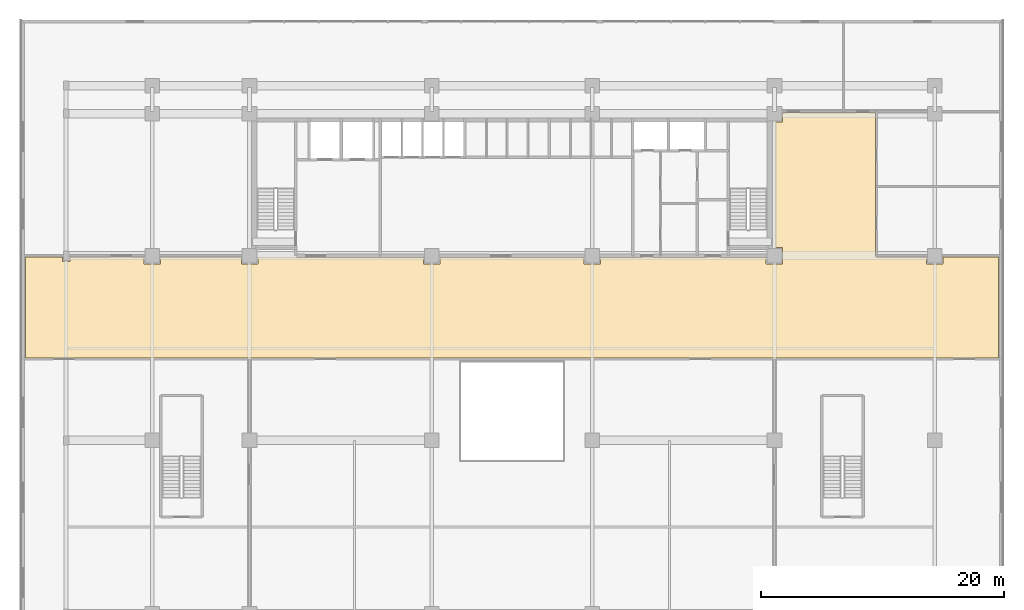
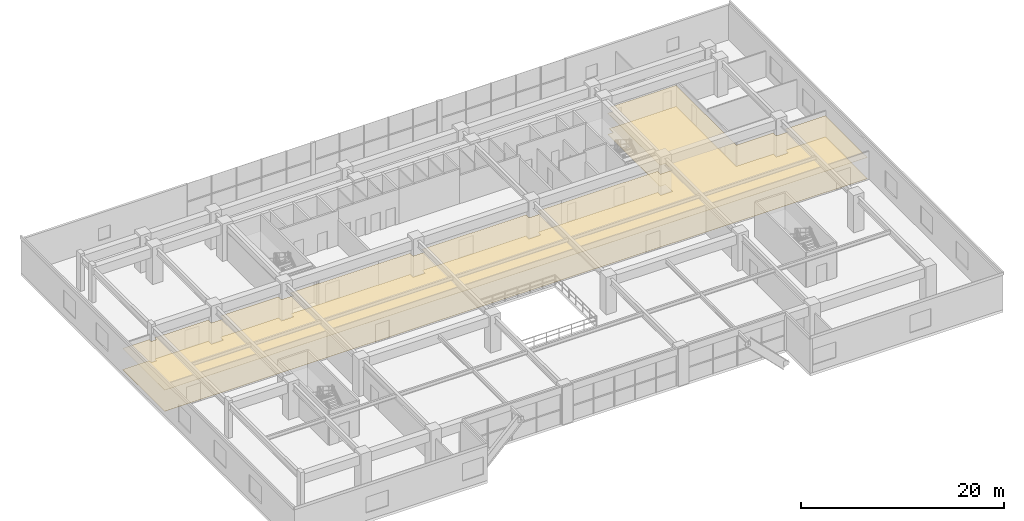
# One storey, part 22 of 24: 2 coverings.
"""IFC4 building model written with IfcOpenShell, lengths in metres."""

import ifcopenshell
import ifcopenshell.guid

model = None  # the IFC model being written
_history = None  # IfcOwnerHistory: only IFC2X3 demands one
_inside = {}  # id of a spatial element -> (the spatial element, [elements in it])
_under = {}  # id of a project, library or spatial element -> (it, [spatial elements below it])
_declared = {}  # id of a project -> (the project, [libraries it declares])
_typed = {}  # id of a type object -> (the type object, [elements of that type])
_made_of = {}  # id of a material, layer set ... -> (it, [elements and type objects made of it])


def new_model(schema):
    """Start an empty IFC model of exactly this schema.

    Asked for "IFC4X3", IfcOpenShell would pick the latest addendum, in which some entities
    have other attributes; the version numbers below select the first issue.
    IFC2X3 requires an IfcOwnerHistory on every rooted entity: one is made here for all.
    """
    global model, _history
    if schema == "IFC4X3":
        model = ifcopenshell.file(schema_version=(4, 3, 0, 0))
    else:
        model = ifcopenshell.file(schema=schema)
    _inside.clear()
    _under.clear()
    _declared.clear()
    _typed.clear()
    _made_of.clear()
    _history = None
    if model.schema == "IFC2X3":
        org = make("IfcOrganization", Name="unknown")
        user = make(
            "IfcPersonAndOrganization",
            ThePerson=make("IfcPerson", FamilyName="unknown"),
            TheOrganization=org,
        )
        app = make(
            "IfcApplication",
            ApplicationDeveloper=org,
            Version="unknown",
            ApplicationFullName="unknown",
            ApplicationIdentifier="unknown",
        )
        _history = make(
            "IfcOwnerHistory",
            OwningUser=user,
            OwningApplication=app,
            ChangeAction="ADDED",
            CreationDate=0,
        )
    return model


def make(cls, **values):
    """One entity of the class cls with the attributes given. An attribute that is None is left unset."""
    return model.create_entity(
        cls, **{name: value for name, value in values.items() if value is not None}
    )


def rooted(cls, **values):
    """An entity with a GlobalId (a new one), such as an element, a storey or a relation."""
    return make(cls, GlobalId=ifcopenshell.guid.new(), OwnerHistory=_history, **values)


def si_unit(unit_type, name, prefix=None):
    """IfcSIUnit, for example si_unit("LENGTHUNIT", "METRE", prefix="MILLI")."""
    return make("IfcSIUnit", UnitType=unit_type, Prefix=prefix, Name=name)


def assignment(units):
    """IfcUnitAssignment: the units of a project."""
    return None if units is None else make("IfcUnitAssignment", Units=units)


def point(xyz):
    """IfcCartesianPoint."""
    return None if xyz is None else make("IfcCartesianPoint", Coordinates=xyz)


def direction(xyz):
    """IfcDirection."""
    return None if xyz is None else make("IfcDirection", DirectionRatios=xyz)


def frame(location, z_axis=None, x_axis=None):
    """IfcAxis2Placement3D, a coordinate frame: its origin and axes. An axis left out is left unset."""
    return make(
        "IfcAxis2Placement3D",
        Location=point(location),
        Axis=direction(z_axis),
        RefDirection=direction(x_axis),
    )


def origin():
    """The frame at (0, 0, 0) with its axes left unset."""
    return frame((0.0, 0.0, 0.0))


def place(relative_to, where):
    """IfcLocalPlacement: puts the frame where relative to a parent placement (None: the world)."""
    return make(
        "IfcLocalPlacement", PlacementRelTo=relative_to, RelativePlacement=where
    )


def context(
    kind, dimensions, precision=None, world=None, true_north=None, identifier=None
):
    """IfcGeometricRepresentationContext, for example the 3D "Model" context."""
    return make(
        "IfcGeometricRepresentationContext",
        ContextIdentifier=identifier,
        ContextType=kind,
        CoordinateSpaceDimension=dimensions,
        Precision=precision,
        WorldCoordinateSystem=world,
        TrueNorth=true_north,
    )


def subcontext(parent, identifier, kind, view, scale=None):
    """IfcGeometricRepresentationSubContext, for example "Body" below "Model"."""
    return make(
        "IfcGeometricRepresentationSubContext",
        ContextIdentifier=identifier,
        ContextType=kind,
        ParentContext=parent,
        TargetScale=scale,
        TargetView=view,
    )


def project(units=None, contexts=None):
    """IfcProject with its units and contexts."""
    return rooted(
        "IfcProject",
        Name="project",
        RepresentationContexts=contexts,
        UnitsInContext=assignment(units),
    )


def spatial(cls, under=None, at=None, **own):
    """A site, building, storey or space (cls), placed at a placement, below another one or the project."""
    s = rooted(cls, ObjectPlacement=at, **own)
    if under is not None:
        _under.setdefault(under.id(), (under, []))[1].append(s)
    return s


def polyline(points):
    """IfcPolyline through the points."""
    return make("IfcPolyline", Points=[point(p) for p in points])


def outline(outer, holes=None, kind="AREA"):
    """IfcArbitraryClosedProfileDef: a profile drawn as a closed curve; with holes, ...WithVoids."""
    if holes is None:
        return make("IfcArbitraryClosedProfileDef", ProfileType=kind, OuterCurve=outer)
    return make(
        "IfcArbitraryProfileDefWithVoids",
        ProfileType=kind,
        OuterCurve=outer,
        InnerCurves=holes,
    )


def extrude(swept, where, along, depth):
    """IfcExtrudedAreaSolid: the profile swept, set in the frame where, extruded along a direction by depth."""
    return make(
        "IfcExtrudedAreaSolid",
        SweptArea=swept,
        Position=where,
        ExtrudedDirection=direction(along),
        Depth=depth,
    )


def shape(context_of_items, identifier, shape_type, items):
    """IfcShapeRepresentation: the items that make up one representation, for example the "Body"."""
    return make(
        "IfcShapeRepresentation",
        ContextOfItems=context_of_items,
        RepresentationIdentifier=identifier,
        RepresentationType=shape_type,
        Items=items,
    )


def material(Name=None, Category=None):
    """IfcMaterial."""
    return make("IfcMaterial", Name=Name, Category=Category)


def layer(
    of_material, thickness, ventilated=None, Name=None, Category=None, Priority=None
):
    """IfcMaterialLayer: one layer of a wall or slab, of a material (None: an air gap)."""
    return make(
        "IfcMaterialLayer",
        Material=of_material,
        LayerThickness=thickness,
        IsVentilated=ventilated,
        Name=Name,
        Category=Category,
        Priority=Priority,
    )


def layer_set(layers, Name=None):
    """IfcMaterialLayerSet."""
    return make("IfcMaterialLayerSet", MaterialLayers=layers, LayerSetName=Name)


def made_of(thing, what):
    """Note that an element or type object is made of a material, layer set ...; save() writes the relation."""
    if what is not None:
        _made_of.setdefault(what.id(), (what, []))[1].append(thing)
    return thing


def type_object(cls, material=None, **own):
    """A type object (cls), such as IfcWallType, which elements share."""
    return made_of(rooted(cls, **own), material)


def element(
    cls,
    number,
    at=None,
    inside=None,
    cuts=None,
    type_object=None,
    material=None,
    context=None,
    identifier="Body",
    shape_type=None,
    held_by="IfcProductDefinitionShape",
    body=None,
    shapes=None,
    **own,
):
    """One element of the class cls, such as IfcWall. Its Tag is "e" and its number.

    at: its placement. inside: the storey or other place that contains it. cuts: it is an
    opening in that element (IfcRelVoidsElement). A single representation is given by context,
    identifier, shape_type and body (its items); several are given by shapes. held_by: the class
    of the entity that holds the representations. save() writes the other relations.
    """
    e = rooted(cls, Tag="e%d" % number, ObjectPlacement=at, **own)
    if body is not None:
        shapes = [shape(context, identifier, shape_type, body)]
    if shapes is not None:
        e.Representation = make(held_by, Representations=shapes)
    if inside is not None:
        _inside.setdefault(inside.id(), (inside, []))[1].append(e)
    if cuts is not None:
        rooted(
            "IfcRelVoidsElement", RelatingBuildingElement=cuts, RelatedOpeningElement=e
        )
    if type_object is not None:
        _typed.setdefault(type_object.id(), (type_object, []))[1].append(e)
    return made_of(e, material)


def aggregate(whole, parts):
    """IfcRelAggregates: a whole, such as a stair, and the parts it consists of."""
    return rooted("IfcRelAggregates", RelatingObject=whole, RelatedObjects=parts)


def save(model, path):
    """Write the relations noted so far, then the file.

    IfcRelAggregates (storeys below a building ...), IfcRelContainedInSpatialStructure (elements
    in a storey), IfcRelDefinesByType, IfcRelAssociatesMaterial and IfcRelDeclares: one each for
    every whole, place, type object, material and project.
    """
    for whole, parts in _under.values():
        aggregate(whole, parts)
    for where, things in _inside.values():
        rooted(
            "IfcRelContainedInSpatialStructure",
            RelatedElements=things,
            RelatingStructure=where,
        )
    for kind, things in _typed.values():
        rooted("IfcRelDefinesByType", RelatedObjects=things, RelatingType=kind)
    for what, things in _made_of.values():
        rooted("IfcRelAssociatesMaterial", RelatedObjects=things, RelatingMaterial=what)
    for by, libraries in _declared.values():
        rooted("IfcRelDeclares", RelatingContext=by, RelatedDefinitions=libraries)
    model.write(path)


model = new_model("IFC4")

# Units and contexts
model_context = context("Model", 3, precision=1e-05, world=origin(), true_north=direction((0.0, 1.0)))
body_context = subcontext(model_context, "Body", "Model", "MODEL_VIEW")
ifc_project = project(units=[si_unit("LENGTHUNIT", "METRE"), si_unit("AREAUNIT", "SQUARE_METRE"), si_unit("VOLUMEUNIT", "CUBIC_METRE"), si_unit("PLANEANGLEUNIT", "RADIAN"), si_unit("MASSUNIT", "GRAM", prefix="KILO")], contexts=[model_context])

# Site, building, storey
site_placement = place(None, origin())
site = spatial("IfcSite", under=ifc_project, at=site_placement, CompositionType="ELEMENT")
building_placement = place(site_placement, origin())
building = spatial("IfcBuilding", under=site, at=building_placement, Name="Trelvane Seafront Commons", CompositionType="ELEMENT")
storey_placement = place(building_placement, frame((0.0, 0.0, 5.199951171875)))
storey = spatial("IfcBuildingStorey", under=building, at=storey_placement, Name="L01", CompositionType="ELEMENT", Elevation=5.199951171875)

# Coverings
ifc_material_1 = material(Name="Acoustic Mineral Fibre Ceiling")
ifc_layer_1 = layer(ifc_material_1, 0.02490234375, Name="ARCH-COV-CEIL25")
ifc_layer_set_1 = layer_set([ifc_layer_1], Name="Acoustic Mineral Fibre Ceiling")
covering_type_1 = type_object("IfcCoveringType", Name="ARCH-COV-CEIL25", PredefinedType="CEILING", material=ifc_layer_set_1)
covering_1_placement = place(storey_placement, frame((0.0, 0.0, 2.550048828125)))
element("IfcCovering", 1, at=covering_1_placement, inside=storey, type_object=covering_type_1, Name="COV-CEIL-L01-01", PredefinedType="CEILING", context=body_context, shape_type="SweptSolid", body=[
    extrude(outline(polyline([(72.679931640625, 33.300048828125), (72.679931640625, 32.719970703125), (71.320068359375, 32.719970703125), (71.320068359375, 33.300048828125), (67.10009765625, 33.300048828125), (67.10009765625, 45.199951171875), (59.47998046875, 45.199951171875), (59.47998046875, 44.419921875), (58.85009765625, 44.419921875), (58.85009765625, 34.080078125), (59.47998046875, 34.080078125), (59.47998046875, 32.719970703125), (58.1201171875, 32.719970703125), (58.1201171875, 33.300048828125), (44.47998046875, 33.300048828125), (44.47998046875, 32.719970703125), (43.1201171875, 32.719970703125), (43.1201171875, 33.300048828125), (31.280029296875, 33.300048828125), (31.280029296875, 32.719970703125), (29.919921875, 32.719970703125), (29.919921875, 33.300048828125), (16.280029296875, 33.300048828125), (16.280029296875, 32.719970703125), (14.919921875, 32.719970703125), (14.919921875, 33.300048828125), (8.280029296875, 33.300048828125), (8.280029296875, 32.719970703125), (6.919921875, 32.719970703125), (6.919921875, 33.300048828125), (0.804931640625, 33.300048828125), (0.804931640625, 32.945068359375), (0.195068359375, 32.945068359375), (0.195068359375, 33.300048828125), (-2.85009765625, 33.300048828125), (-2.85009765625, 25.0), (77.25, 25.0), (77.25, 33.300048828125), (72.679931640625, 33.300048828125)])), origin(), (0.0, 0.0, 1.0), 0.02490234375),
])
ifc_material_2 = material(Name="Polished Terrazzo Finish")
ifc_layer_2 = layer(ifc_material_2, 0.02001953125, Name="ARCH-COV-FLOR20")
ifc_layer_set_2 = layer_set([ifc_layer_2], Name="Polished Terrazzo Finish")
covering_type_2 = type_object("IfcCoveringType", Name="ARCH-COV-FLOR20", PredefinedType="FLOORING", material=ifc_layer_set_2)
covering_2_placement = place(storey_placement, origin())
element("IfcCovering", 2, at=covering_2_placement, inside=storey, type_object=covering_type_2, Name="COV-FLOR-L01-01", PredefinedType="FLOORING", context=body_context, shape_type="SweptSolid", body=[
    extrude(outline(polyline([(72.679931640625, 33.300048828125), (72.679931640625, 32.719970703125), (71.320068359375, 32.719970703125), (71.320068359375, 33.300048828125), (67.10009765625, 33.300048828125), (67.10009765625, 45.199951171875), (59.47998046875, 45.199951171875), (59.47998046875, 44.419921875), (58.85009765625, 44.419921875), (58.85009765625, 34.080078125), (59.47998046875, 34.080078125), (59.47998046875, 32.719970703125), (58.1201171875, 32.719970703125), (58.1201171875, 33.300048828125), (44.47998046875, 33.300048828125), (44.47998046875, 32.719970703125), (43.1201171875, 32.719970703125), (43.1201171875, 33.300048828125), (31.280029296875, 33.300048828125), (31.280029296875, 32.719970703125), (29.919921875, 32.719970703125), (29.919921875, 33.300048828125), (16.280029296875, 33.300048828125), (16.280029296875, 32.719970703125), (14.919921875, 32.719970703125), (14.919921875, 33.300048828125), (8.280029296875, 33.300048828125), (8.280029296875, 32.719970703125), (6.919921875, 32.719970703125), (6.919921875, 33.300048828125), (0.804931640625, 33.300048828125), (0.804931640625, 32.945068359375), (0.195068359375, 32.945068359375), (0.195068359375, 33.300048828125), (-2.85009765625, 33.300048828125), (-2.85009765625, 25.0), (77.25, 25.0), (77.25, 33.300048828125), (72.679931640625, 33.300048828125)])), origin(), (0.0, 0.0, 1.0), 0.02001953125),
])

save(model, "model.ifc")
